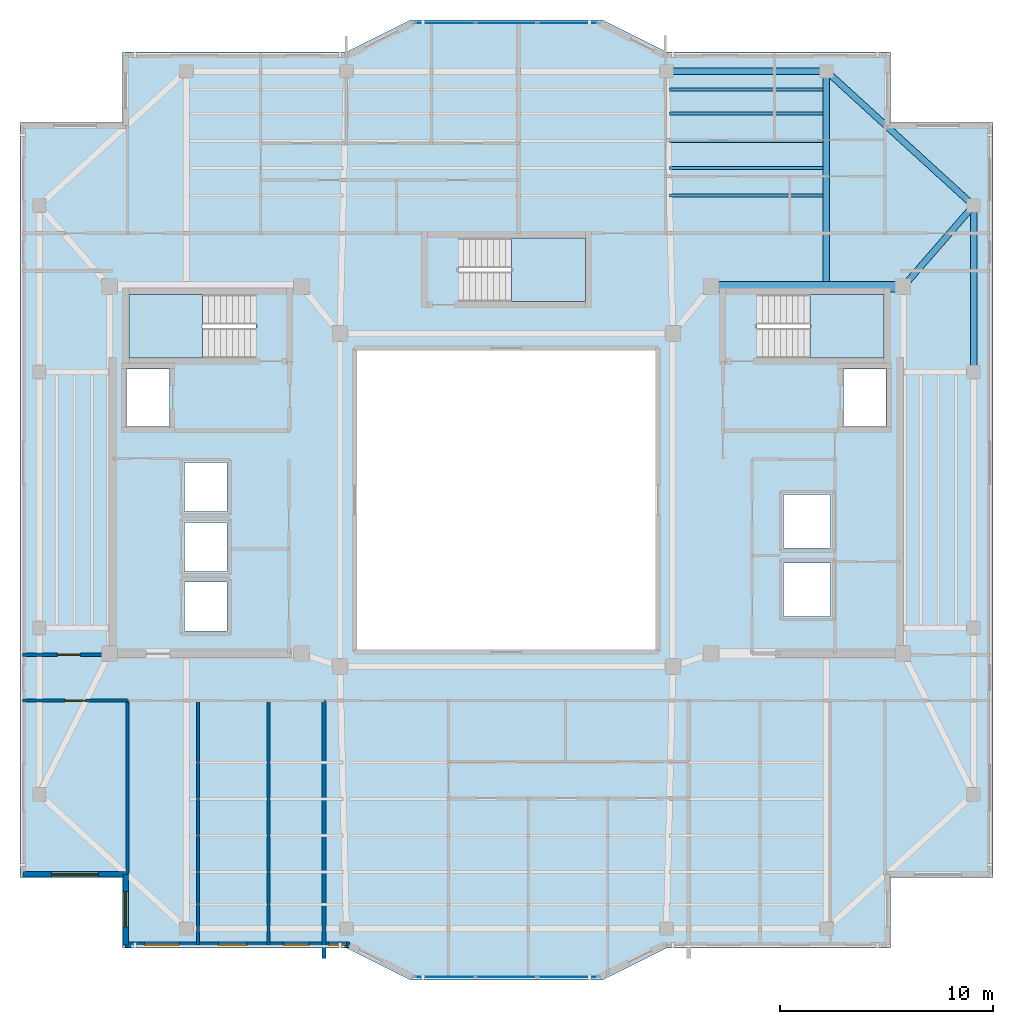
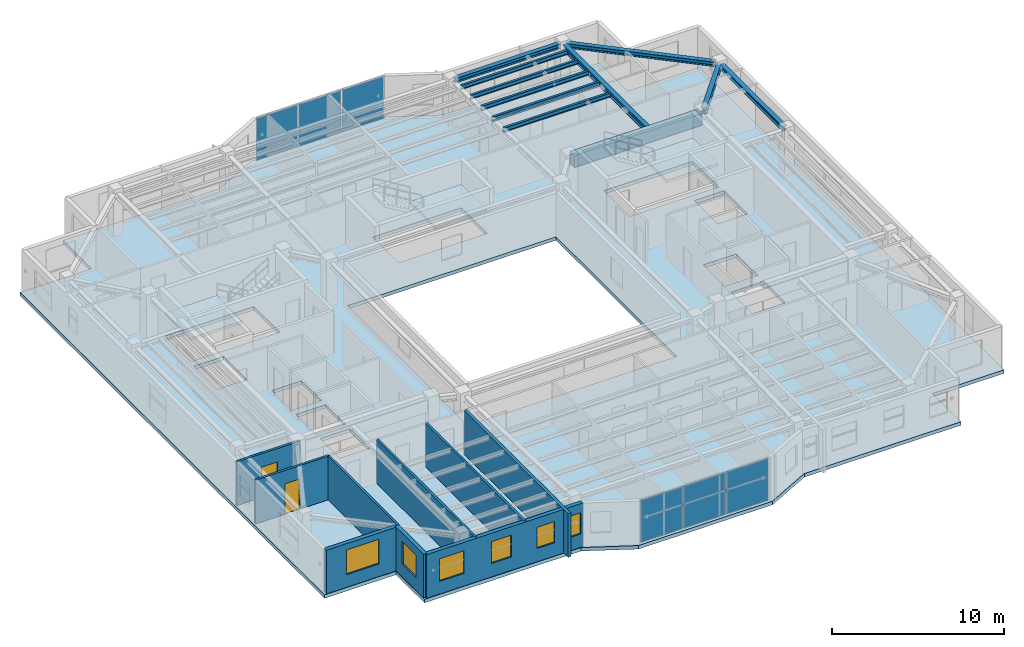
# One storey, part 5 of 13: 11 beams, 9 walls, 6 plates, 6 windows, 4 slabs, 2 doors, 8 openings, 5 elements without a shape of their own.
"""IFC4 building model written with IfcOpenShell, lengths in metres."""

from ifc_helpers import new_model, si_unit, direction, frame, frame_2d, origin, origin_2d, place, context, subcontext, project, spatial, polyline, rectangle, i_section, outline, extrude, material, layer, layer_set, material_profile, profile_set, type_object, element, fill, aggregate, save


model = new_model("IFC4")

# Units and contexts
model_context = context("Model", 3, precision=1e-05, world=origin(), true_north=direction((0.0, 1.0)))
body_context = subcontext(model_context, "Body", "Model", "MODEL_VIEW")
ifc_project = project(units=[si_unit("LENGTHUNIT", "METRE"), si_unit("AREAUNIT", "SQUARE_METRE"), si_unit("VOLUMEUNIT", "CUBIC_METRE"), si_unit("PLANEANGLEUNIT", "RADIAN"), si_unit("MASSUNIT", "GRAM", prefix="KILO")], contexts=[model_context])

# Site, building, storey
site_placement = place(None, origin())
site = spatial("IfcSite", under=ifc_project, at=site_placement, CompositionType="ELEMENT")
building_placement = place(site_placement, origin())
building = spatial("IfcBuilding", under=site, at=building_placement, Name="Tarnavaz Court Tower", CompositionType="ELEMENT")
storey_placement = place(building_placement, frame((0.0, 0.0, 248.199951171875)))
storey = spatial("IfcBuildingStorey", under=building, at=storey_placement, Name="L67", CompositionType="ELEMENT", Elevation=248.199951171875)

# Beams
ifc_material_1 = material(Name="Concrete C50/60", Category="concrete")
ifc_material_profile_1 = material_profile(ifc_material_1, rectangle(XDim=0.5, YDim=0.85009765625, at=origin_2d()), Name="RC 500X850")
ifc_profile_set_1 = profile_set([ifc_material_profile_1], Name="Concrete C50/60")
beam_type_1 = type_object("IfcBeamType", Name="BM-CB850", PredefinedType="LINTEL", material=ifc_profile_set_1)
beam_1_placement = place(storey_placement, frame((18.3798828125, 10.0, 2.675048828125), z_axis=(-1.0, 0.0, 0.0), x_axis=(0.0, -1.0, 0.0)))
element("IfcBeam", 1, at=beam_1_placement, inside=storey, type_object=beam_type_1, Name="L67 Beam IN-CE-NO-CE-NI", PredefinedType="LINTEL", context=body_context, shape_type="SweptSolid", body=[
    extrude(rectangle(XDim=0.5, YDim=0.85009765625, at=origin_2d()), origin(), (0.0, 0.0, 1.0), 8.559814453125),
])
ifc_material_2 = material(Name="Steel S355", Category="steel")
ifc_material_profile_2 = material_profile(ifc_material_2, i_section(OverallWidth=0.300048828125, OverallDepth=0.39990234375, WebThickness=0.013427734375, FlangeThickness=0.02392578125, FilletRadius=0.027099609375, at=origin_2d()), Name="HEB 400")
ifc_profile_set_2 = profile_set([ifc_material_profile_2], Name="Steel S355")
beam_type_2 = type_object("IfcBeamType", Name="BM-G-HEB400", PredefinedType="USERDEFINED", material=ifc_profile_set_2)
beam_2_placement = place(storey_placement, frame((15.0, 10.0400390625, 2.900146484375), z_axis=(0.0, 1.0, 0.0), x_axis=(-1.0, 0.0, 0.0)))
element("IfcBeam", 2, at=beam_2_placement, inside=storey, type_object=beam_type_2, Name="L67 Beam RG-04", ObjectType="GIRDER", PredefinedType="USERDEFINED", context=body_context, shape_type="SweptSolid", body=[
    extrude(i_section(OverallWidth=0.300048828125, OverallDepth=0.39990234375, WebThickness=0.013427734375, FlangeThickness=0.02392578125, FilletRadius=0.027099609375, at=origin_2d()), origin(), (0.0, 0.0, 1.0), 9.83984375),
])
beam_3_placement = place(storey_placement, frame((18.744384765625, 10.166015625, 2.900146484375), z_axis=(0.65565475567, 0.755060819648, 0.0), x_axis=(-0.755060819648, 0.65565475567, 0.0)))
element("IfcBeam", 3, at=beam_3_placement, inside=storey, type_object=beam_type_2, Name="L67 Beam RG-12", ObjectType="GIRDER", PredefinedType="USERDEFINED", context=body_context, shape_type="SweptSolid", body=[
    extrude(i_section(OverallWidth=0.300048828125, OverallDepth=0.39990234375, WebThickness=0.013427734375, FlangeThickness=0.02392578125, FilletRadius=0.027099609375, at=origin_2d()), origin(), (0.0, 0.0, 1.0), 4.5927734375),
])
ifc_material_profile_3 = material_profile(ifc_material_2, i_section(OverallWidth=0.14990234375, OverallDepth=0.300048828125, WebThickness=0.007080078125, FlangeThickness=0.0107421875, FilletRadius=0.014892578125, at=origin_2d()), Name="IPE 300")
ifc_profile_set_3 = profile_set([ifc_material_profile_3], Name="Steel S355")
beam_type_3 = type_object("IfcBeamType", Name="BM-J-IPE300", PredefinedType="JOIST", material=ifc_profile_set_3)
for number, where, z_axis, x_axis, name in (
    (4, (7.64990234375, 14.278076171875, 2.949951171875), (1.0, 0.0, 0.0), (0.0, 1.0, 0.0), "L67 Beam JN1-3"),
    (5, (7.64990234375, 15.555908203125, 2.949951171875), (1.0, 0.0, 0.0), (0.0, 1.0, 0.0), "L67 Beam JN2-3"),
    (6, (7.64990234375, 16.833984375, 2.949951171875), (1.0, 0.0, 0.0), (0.0, 1.0, 0.0), "L67 Beam JN3-3"),
    (7, (7.64990234375, 18.112060546875, 2.949951171875), (1.0, 0.0, 0.0), (0.0, 1.0, 0.0), "L67 Beam JN4-3"),
    (8, (7.64990234375, 19.248046875, 2.949951171875), (1.0, 0.0, 0.0), (0.0, 1.0, 0.0), "L67 Beam JN5-3"),
):
    element("IfcBeam", number, at=place(storey_placement, frame(where, z_axis=z_axis, x_axis=x_axis)), inside=storey, type_object=beam_type_3, Name=name, PredefinedType="JOIST", context=body_context, shape_type="SweptSolid", body=[
        extrude(i_section(OverallWidth=0.14990234375, OverallDepth=0.300048828125, WebThickness=0.007080078125, FlangeThickness=0.0107421875, FilletRadius=0.014892578125, at=origin_2d()), origin(), (0.0, 0.0, 1.0), 7.2001953125),
    ])
ifc_material_profile_4 = material_profile(ifc_material_2, i_section(OverallWidth=0.300048828125, OverallDepth=0.330078125, WebThickness=0.009521484375, FlangeThickness=0.0166015625, FilletRadius=0.027099609375, at=origin_2d()), Name="HEA 340")
ifc_profile_set_4 = profile_set([ifc_material_profile_4], Name="Steel S355")
beam_type_4 = type_object("IfcBeamType", Name="BM-SP-HEA340", PredefinedType="BEAM", material=ifc_profile_set_4)
beam_4_placement = place(storey_placement, frame((7.719970703125, 20.10009765625, 2.93505859375), z_axis=(1.0, 0.0, 0.0), x_axis=(0.0, 1.0, 0.0)))
element("IfcBeam", 9, at=beam_4_placement, inside=storey, type_object=beam_type_4, Name="L67 Beam PR-PN-3-PN-4", PredefinedType="BEAM", context=body_context, shape_type="SweptSolid", body=[
    extrude(i_section(OverallWidth=0.300048828125, OverallDepth=0.330078125, WebThickness=0.009521484375, FlangeThickness=0.0166015625, FilletRadius=0.027099609375, at=origin_2d()), origin(), (0.0, 0.0, 1.0), 7.06005859375),
])
beam_5_placement = place(storey_placement, frame((21.89990234375, 6.219970703125, 2.93505859375), z_axis=(0.0, 1.0, 0.0), x_axis=(-1.0, 0.0, 0.0)))
element("IfcBeam", 10, at=beam_5_placement, inside=storey, type_object=beam_type_4, Name="L67 Beam PR-PE-3-PE-4", PredefinedType="BEAM", context=body_context, shape_type="SweptSolid", body=[
    extrude(i_section(OverallWidth=0.300048828125, OverallDepth=0.330078125, WebThickness=0.009521484375, FlangeThickness=0.0166015625, FilletRadius=0.027099609375, at=origin_2d()), origin(), (0.0, 0.0, 1.0), 7.360107421875),
])
beam_6_placement = place(storey_placement, frame((15.16259765625, 19.95166015625, 2.93505859375), z_axis=(0.738474214476, -0.674281717499, 0.0), x_axis=(0.674281717499, 0.738474214476, 0.0)))
element("IfcBeam", 11, at=beam_6_placement, inside=storey, type_object=beam_type_4, Name="L67 Beam PR-PN-4-PE-4", PredefinedType="BEAM", context=body_context, shape_type="SweptSolid", body=[
    extrude(i_section(OverallWidth=0.300048828125, OverallDepth=0.330078125, WebThickness=0.009521484375, FlangeThickness=0.0166015625, FilletRadius=0.027099609375, at=origin_2d()), origin(), (0.0, 0.0, 1.0), 8.9033203125),
])

# Curtain wall, plates
ifc_material_3 = material(Name="Anodised Aluminium 6063-T6 and Solar Low-E Glazing", Category="aluminium")
ifc_layer_1 = layer(ifc_material_3, 0.159912109375)
ifc_layer_set_1 = layer_set([ifc_layer_1], Name="Anodised Aluminium 6063-T6 and Solar Low-E Glazing")
curtain_wall_type = type_object("IfcCurtainWallType", Name="CW-SYS-03", PredefinedType="NOTDEFINED", material=ifc_layer_set_1)
curtain_wall_1_placement = place(storey_placement, origin())
curtain_wall_1 = element("IfcCurtainWall", 12, at=curtain_wall_1_placement, inside=storey, type_object=curtain_wall_type, Name="L67 Iwan Prow Curtain Wall 7", PredefinedType="NOTDEFINED")
ifc_material_4 = material(Name="Double-Glazed Solar Low-E Glass", Category="glass")
ifc_layer_2 = layer(ifc_material_4, 0.028076171875)
ifc_layer_set_2 = layer_set([ifc_layer_2], Name="Double-Glazed Solar Low-E Glass")
plate_type = type_object("IfcPlateType", Name="CW-PAN-GLZ28", PredefinedType="CURTAIN_PANEL", material=ifc_layer_set_2)
plate_1_placement = place(storey_placement, frame((-2.88134765625, 22.35009765625, 0.06494140625), z_axis=(0.0, 0.0, 1.0), x_axis=(1.0, 0.0, 0.0)))
plate_1 = element("IfcPlate", 13, at=plate_1_placement, type_object=plate_type, Name="CW panel 1.1", PredefinedType="CURTAIN_PANEL", context=body_context, shape_type="SweptSolid", body=[
    extrude(rectangle(XDim=2.78759765625, YDim=0.028076171875, at=origin_2d()), origin(), (0.0, 0.0, 1.0), 2.969970703125),
])
plate_2_placement = place(storey_placement, frame((0.0, 22.35009765625, 0.06494140625), z_axis=(0.0, 0.0, 1.0), x_axis=(1.0, 0.0, 0.0)))
plate_2 = element("IfcPlate", 14, at=plate_2_placement, type_object=plate_type, Name="CW panel 2.1", PredefinedType="CURTAIN_PANEL", context=body_context, shape_type="SweptSolid", body=[
    extrude(rectangle(XDim=2.824951171875, YDim=0.028076171875, at=origin_2d()), origin(), (0.0, 0.0, 1.0), 2.969970703125),
])
plate_3_placement = place(storey_placement, frame((2.88134765625, 22.35009765625, 0.06494140625), z_axis=(0.0, 0.0, 1.0), x_axis=(1.0, 0.0, 0.0)))
plate_3 = element("IfcPlate", 15, at=plate_3_placement, type_object=plate_type, Name="CW panel 3.1", PredefinedType="CURTAIN_PANEL", context=body_context, shape_type="SweptSolid", body=[
    extrude(rectangle(XDim=2.78759765625, YDim=0.028076171875, at=origin_2d()), origin(), (0.0, 0.0, 1.0), 2.969970703125),
])
aggregate(curtain_wall_1, [plate_1, plate_2, plate_3])

curtain_wall_2_placement = place(storey_placement, origin())
curtain_wall_2 = element("IfcCurtainWall", 16, at=curtain_wall_2_placement, inside=storey, type_object=curtain_wall_type, Name="L67 Iwan Prow Curtain Wall 17", PredefinedType="NOTDEFINED")
plate_4_placement = place(storey_placement, frame((2.88134765625, -22.35009765625, 0.06494140625), z_axis=(0.0, 0.0, 1.0), x_axis=(-1.0, 0.0, 0.0)))
plate_4 = element("IfcPlate", 17, at=plate_4_placement, type_object=plate_type, Name="CW panel 1.1", PredefinedType="CURTAIN_PANEL", context=body_context, shape_type="SweptSolid", body=[
    extrude(rectangle(XDim=2.78759765625, YDim=0.028076171875, at=origin_2d()), origin(), (0.0, 0.0, 1.0), 2.969970703125),
])
plate_5_placement = place(storey_placement, frame((0.0, -22.35009765625, 0.06494140625), z_axis=(0.0, 0.0, 1.0), x_axis=(-1.0, 0.0, 0.0)))
plate_5 = element("IfcPlate", 18, at=plate_5_placement, type_object=plate_type, Name="CW panel 2.1", PredefinedType="CURTAIN_PANEL", context=body_context, shape_type="SweptSolid", body=[
    extrude(rectangle(XDim=2.824951171875, YDim=0.028076171875, at=origin_2d()), origin(), (0.0, 0.0, 1.0), 2.969970703125),
])
plate_6_placement = place(storey_placement, frame((-2.88134765625, -22.35009765625, 0.06494140625), z_axis=(0.0, 0.0, 1.0), x_axis=(-1.0, 0.0, 0.0)))
plate_6 = element("IfcPlate", 19, at=plate_6_placement, type_object=plate_type, Name="CW panel 3.1", PredefinedType="CURTAIN_PANEL", context=body_context, shape_type="SweptSolid", body=[
    extrude(rectangle(XDim=2.78759765625, YDim=0.028076171875, at=origin_2d()), origin(), (0.0, 0.0, 1.0), 2.969970703125),
])
aggregate(curtain_wall_2, [plate_4, plate_5, plate_6])

# Stair, slab
ifc_material_5 = material(Name="Concrete C40/50", Category="concrete")
stair_type = type_object("IfcStairType", Name="ST-TWR-20R", PredefinedType="HALF_TURN_STAIR", material=ifc_material_5)
stair_1_placement = place(storey_placement, origin())
stair_1 = element("IfcStair", 20, at=stair_1_placement, inside=storey, type_object=stair_type, Name="L67 West Core Pressurized Exit Stair ST-W1", PredefinedType="HALF_TURN_STAIR")
ifc_layer_3 = layer(ifc_material_5, 0.199951171875)
ifc_layer_set_3 = layer_set([ifc_layer_3], Name="Concrete C40/50")
slab_type_1 = type_object("IfcSlabType", Name="SL-LAND-200", PredefinedType="LANDING", material=ifc_layer_set_3)
slab_1_placement = place(storey_placement, frame((0.0, 0.0, 1.47509765625)))
slab_1 = element("IfcSlab", 21, at=slab_1_placement, type_object=slab_type_1, Name="ST-W1 landing 1", PredefinedType="LANDING", context=body_context, shape_type="SweptSolid", body=[
    extrude(outline(polyline([(-14.239990234375, 9.639892578125), (-17.699951171875, 9.639892578125), (-17.699951171875, 6.64990234375), (-14.239990234375, 6.64990234375), (-14.239990234375, 9.639892578125)])), origin(), (0.0, 0.0, 1.0), 0.199951171875),
])
aggregate(stair_1, [slab_1])

stair_2_placement = place(storey_placement, origin())
stair_2 = element("IfcStair", 22, at=stair_2_placement, inside=storey, type_object=stair_type, Name="L67 East Core Pressurized Exit Stair ST-E1", PredefinedType="HALF_TURN_STAIR")
slab_2_placement = place(storey_placement, frame((0.0, 0.0, 1.47509765625)))
slab_2 = element("IfcSlab", 23, at=slab_2_placement, type_object=slab_type_1, Name="ST-E1 landing 1", PredefinedType="LANDING", context=body_context, shape_type="SweptSolid", body=[
    extrude(outline(polyline([(14.239990234375, 6.64990234375), (17.699951171875, 6.64990234375), (17.699951171875, 9.639892578125), (14.239990234375, 9.639892578125), (14.239990234375, 6.64990234375)])), origin(), (0.0, 0.0, 1.0), 0.199951171875),
])
aggregate(stair_2, [slab_2])

stair_3_placement = place(storey_placement, origin())
stair_3 = element("IfcStair", 24, at=stair_3_placement, inside=storey, type_object=stair_type, Name="L67 North Ring Pressurized Exit Stair ST-N1", PredefinedType="HALF_TURN_STAIR")
slab_3_placement = place(storey_placement, frame((0.0, 0.0, 1.47509765625)))
slab_3 = element("IfcSlab", 25, at=slab_3_placement, type_object=slab_type_1, Name="ST-N1 landing 1", PredefinedType="LANDING", context=body_context, shape_type="SweptSolid", body=[
    extrude(outline(polyline([(0.239990234375, 9.300048828125), (3.699951171875, 9.300048828125), (3.699951171875, 12.2900390625), (0.239990234375, 12.2900390625), (0.239990234375, 9.300048828125)])), origin(), (0.0, 0.0, 1.0), 0.199951171875),
])
aggregate(stair_3, [slab_3])

# Slab
ifc_layer_4 = layer(ifc_material_5, 0.25)
ifc_layer_set_4 = layer_set([ifc_layer_4], Name="Concrete C40/50")
slab_type_2 = type_object("IfcSlabType", Name="SL-RES-250", PredefinedType="FLOOR", material=ifc_layer_set_4)
slab_4_placement = place(storey_placement, frame((0.0, 0.0, -0.25)))
element("IfcSlab", 26, at=slab_4_placement, inside=storey, type_object=slab_type_2, Name="L67 Structural Floor Slab", PredefinedType="FLOOR", context=body_context, shape_type="SweptSolid", body=[
    extrude(outline(polyline([(-18.0, -21.0), (-7.5, -21.0), (-4.5, -22.5), (4.5, -22.5), (7.5, -21.0), (18.0, -21.0), (18.0, -17.699951171875), (22.800048828125, -17.699951171875), (22.800048828125, 17.699951171875), (18.0, 17.699951171875), (18.0, 21.0), (7.5, 21.0), (4.5, 22.5), (-4.5, 22.5), (-7.5, 21.0), (-18.0, 21.0), (-18.0, 17.699951171875), (-22.800048828125, 17.699951171875), (-22.800048828125, -17.699951171875), (-18.0, -17.699951171875), (-18.0, -21.0)]), holes=[polyline([(-7.0, -7.0), (7.0, -7.0), (7.0, 7.0), (-7.0, 7.0), (-7.0, -7.0)]), polyline([(-11.7451171875, 9.639892578125), (-17.699951171875, 9.639892578125), (-17.699951171875, 6.64990234375), (-11.7451171875, 6.64990234375), (-11.7451171875, 9.639892578125)]), polyline([(11.7451171875, 6.64990234375), (17.699951171875, 6.64990234375), (17.699951171875, 9.639892578125), (11.7451171875, 9.639892578125), (11.7451171875, 6.64990234375)]), polyline([(-2.2548828125, 9.300048828125), (3.699951171875, 9.300048828125), (3.699951171875, 12.2900390625), (-2.2548828125, 12.2900390625), (-2.2548828125, 9.300048828125)]), polyline([(-17.800048828125, 3.449951171875), (-15.800048828125, 3.449951171875), (-15.800048828125, 6.14990234375), (-17.800048828125, 6.14990234375), (-17.800048828125, 3.449951171875)]), polyline([(-15.10009765625, -6.14990234375), (-13.10009765625, -6.14990234375), (-13.10009765625, -3.85009765625), (-15.10009765625, -3.85009765625), (-15.10009765625, -6.14990234375)]), polyline([(-15.10009765625, -3.35009765625), (-13.10009765625, -3.35009765625), (-13.10009765625, -1.050048828125), (-15.10009765625, -1.050048828125), (-15.10009765625, -3.35009765625)]), polyline([(-15.10009765625, -0.550048828125), (-13.10009765625, -0.550048828125), (-13.10009765625, 1.75), (-15.10009765625, 1.75), (-15.10009765625, -0.550048828125)]), polyline([(15.800048828125, 3.449951171875), (17.800048828125, 3.449951171875), (17.800048828125, 6.14990234375), (15.800048828125, 6.14990234375), (15.800048828125, 3.449951171875)]), polyline([(13.0, -5.449951171875), (15.199951171875, -5.449951171875), (15.199951171875, -2.949951171875), (13.0, -2.949951171875), (13.0, -5.449951171875)]), polyline([(13.0, -2.25), (15.199951171875, -2.25), (15.199951171875, 0.25), (13.0, 0.25), (13.0, -2.25)])]), origin(), (0.0, 0.0, 1.0), 0.25),
])

# Wall, opening, window
ifc_material_6 = material(Name="Precast Concrete C40/50", Category="concrete")
ifc_layer_5 = layer(ifc_material_6, 0.260009765625)
ifc_layer_set_5 = layer_set([ifc_layer_5], Name="Precast Concrete C40/50")
wall_type_1 = type_object("IfcWallType", Name="WL-EXT-260", PredefinedType="SOLIDWALL", material=ifc_layer_set_5)
wall_1_placement = place(storey_placement, frame((-17.85009765625, -17.550048828125, 0.0), z_axis=(0.0, 0.0, 1.0), x_axis=(-1.0, 0.0, 0.0)))
wall_1 = element("IfcWall", 27, at=wall_1_placement, inside=storey, type_object=wall_type_1, Name="L67 Exterior Terracotta Facade Wall 01", PredefinedType="SOLIDWALL", context=body_context, shape_type="SweptSolid", body=[
    extrude(rectangle(XDim=4.7998046875, YDim=0.260009765625, at=frame_2d((2.39990234375, 0.0))), origin(), (0.0, 0.0, 1.0), 3.10009765625),
])
opening_1_placement = place(wall_1_placement, frame((1.274658203125, 0.0, 0.89990234375)))
opening_1 = element("IfcOpeningElement", 28, at=opening_1_placement, cuts=wall_1, Name="Opening W07", PredefinedType="OPENING", context=body_context, shape_type="SweptSolid", body=[
    extrude(rectangle(XDim=2.199951171875, YDim=1.75, at=frame_2d((1.10009765625, 0.875))), frame((0.0, 0.139892578125, 0.0), z_axis=(0.0, -1.0, 0.0), x_axis=(1.0, 0.0, 0.0)), (0.0, 0.0, 1.0), 0.280029296875),
])
window_type_1 = type_object("IfcWindowType", Name="WN-APT-2200", PartitioningType="TRIPLE_PANEL_VERTICAL", PredefinedType="WINDOW", material=ifc_material_4)
window_1_placement = place(opening_1_placement, origin())
window_1 = element("IfcWindow", 29, at=window_1_placement, inside=storey, type_object=window_type_1, Name="L67 South-West Corner Reading Room Window", OverallHeight=1.75, OverallWidth=2.199951171875, PartitioningType="SINGLE_PANEL", PredefinedType="WINDOW", context=body_context, shape_type="SweptSolid", body=[
    extrude(rectangle(XDim=2.199951171875, YDim=1.75, at=frame_2d((1.10009765625, 0.875))), frame((0.0, 0.030029296875, 0.0), z_axis=(0.0, -1.0, 0.0), x_axis=(1.0, 0.0, 0.0)), (0.0, 0.0, 1.0), 0.06005859375),
])
fill(opening_1, window_1)

# Wall, openings, windows
wall_2_placement = place(storey_placement, frame((-7.35009765625, -20.85009765625, 0.0), z_axis=(0.0, 0.0, 1.0), x_axis=(-1.0, 0.0, 0.0)))
wall_2 = element("IfcWall", 30, at=wall_2_placement, inside=storey, type_object=wall_type_1, Name="L67 Exterior Terracotta Facade Wall 19", PredefinedType="SOLIDWALL", context=body_context, shape_type="SweptSolid", body=[
    extrude(rectangle(XDim=10.5, YDim=0.260009765625, at=frame_2d((5.25, 0.0))), origin(), (0.0, 0.0, 1.0), 3.10009765625),
])
opening_2_placement = place(wall_2_placement, frame((0.14501953125, 0.0, 0.949951171875)))
opening_2 = element("IfcOpeningElement", 31, at=opening_2_placement, cuts=wall_2, Name="Opening W15", PredefinedType="OPENING", context=body_context, shape_type="SweptSolid", body=[
    extrude(rectangle(XDim=0.85009765625, YDim=1.5, at=frame_2d((0.425048828125, 0.75))), frame((0.0, 0.139892578125, 0.0), z_axis=(0.0, -1.0, 0.0), x_axis=(1.0, 0.0, 0.0)), (0.0, 0.0, 1.0), 0.280029296875),
])
opening_3_placement = place(wall_2_placement, frame((1.89990234375, 0.0, 0.949951171875)))
opening_3 = element("IfcOpeningElement", 32, at=opening_3_placement, cuts=wall_2, Name="Opening W05", PredefinedType="OPENING", context=body_context, shape_type="SweptSolid", body=[
    extrude(rectangle(XDim=1.199951171875, YDim=1.5, at=frame_2d((0.60009765625, 0.75))), frame((0.0, 0.139892578125, 0.0), z_axis=(0.0, -1.0, 0.0), x_axis=(1.0, 0.0, 0.0)), (0.0, 0.0, 1.0), 0.280029296875),
])
opening_4_placement = place(wall_2_placement, frame((4.800048828125, 0.0, 0.949951171875)))
opening_4 = element("IfcOpeningElement", 33, at=opening_4_placement, cuts=wall_2, Name="Opening W04", PredefinedType="OPENING", context=body_context, shape_type="SweptSolid", body=[
    extrude(rectangle(XDim=1.35009765625, YDim=1.550048828125, at=frame_2d((0.675048828125, 0.77490234375))), frame((0.0, 0.139892578125, 0.0), z_axis=(0.0, -1.0, 0.0), x_axis=(1.0, 0.0, 0.0)), (0.0, 0.0, 1.0), 0.280029296875),
])
opening_5_placement = place(wall_2_placement, frame((7.97509765625, 0.0, 0.89990234375)))
opening_5 = element("IfcOpeningElement", 34, at=opening_5_placement, cuts=wall_2, Name="Opening W02", PredefinedType="OPENING", context=body_context, shape_type="SweptSolid", body=[
    extrude(rectangle(XDim=1.64990234375, YDim=1.60009765625, at=frame_2d((0.824951171875, 0.800048828125))), frame((0.0, 0.139892578125, 0.0), z_axis=(0.0, -1.0, 0.0), x_axis=(1.0, 0.0, 0.0)), (0.0, 0.0, 1.0), 0.280029296875),
])
window_type_2 = type_object("IfcWindowType", Name="WN-APT-1200", PartitioningType="SINGLE_PANEL", PredefinedType="WINDOW", material=ifc_material_4)
window_2_placement = place(opening_3_placement, origin())
window_2 = element("IfcWindow", 35, at=window_2_placement, inside=storey, type_object=window_type_2, Name="L67 Resident Focus Seminar Room Window", OverallHeight=1.5, OverallWidth=1.199951171875, PartitioningType="SINGLE_PANEL", PredefinedType="WINDOW", context=body_context, shape_type="SweptSolid", body=[
    extrude(rectangle(XDim=1.199951171875, YDim=1.5, at=frame_2d((0.60009765625, 0.75))), frame((0.0, 0.030029296875, 0.0), z_axis=(0.0, -1.0, 0.0), x_axis=(1.0, 0.0, 0.0)), (0.0, 0.0, 1.0), 0.06005859375),
])
fill(opening_3, window_2)
window_type_3 = type_object("IfcWindowType", Name="WN-APT-1350", PartitioningType="SINGLE_PANEL", PredefinedType="WINDOW", material=ifc_material_4)
window_3_placement = place(opening_4_placement, origin())
window_3 = element("IfcWindow", 36, at=window_3_placement, inside=storey, type_object=window_type_3, Name="L67 Quiet Reading Library Room Window", OverallHeight=1.550048828125, OverallWidth=1.35009765625, PartitioningType="SINGLE_PANEL", PredefinedType="WINDOW", context=body_context, shape_type="SweptSolid", body=[
    extrude(rectangle(XDim=1.35009765625, YDim=1.550048828125, at=frame_2d((0.675048828125, 0.77490234375))), frame((0.0, 0.030029296875, 0.0), z_axis=(0.0, -1.0, 0.0), x_axis=(1.0, 0.0, 0.0)), (0.0, 0.0, 1.0), 0.06005859375),
])
fill(opening_4, window_3)
window_type_4 = type_object("IfcWindowType", Name="WN-APT-1650", PartitioningType="DOUBLE_PANEL_VERTICAL", PredefinedType="WINDOW", material=ifc_material_4)
window_4_placement = place(opening_5_placement, origin())
window_4 = element("IfcWindow", 37, at=window_4_placement, inside=storey, type_object=window_type_4, Name="L67 Resident Co-Working Study Room Window", OverallHeight=1.60009765625, OverallWidth=1.64990234375, PartitioningType="SINGLE_PANEL", PredefinedType="WINDOW", context=body_context, shape_type="SweptSolid", body=[
    extrude(rectangle(XDim=1.64990234375, YDim=1.60009765625, at=frame_2d((0.824951171875, 0.800048828125))), frame((0.0, 0.030029296875, 0.0), z_axis=(0.0, -1.0, 0.0), x_axis=(1.0, 0.0, 0.0)), (0.0, 0.0, 1.0), 0.06005859375),
])
fill(opening_5, window_4)
window_type_5 = type_object("IfcWindowType", Name="WN-APT-850", PartitioningType="SINGLE_PANEL", PredefinedType="WINDOW", material=ifc_material_4)
window_5_placement = place(opening_2_placement, origin())
window_5 = element("IfcWindow", 38, at=window_5_placement, inside=storey, type_object=window_type_5, Name="L67 Flat 03 Living and Dining Room Window", OverallHeight=1.5, OverallWidth=0.85009765625, PartitioningType="SINGLE_PANEL", PredefinedType="WINDOW", context=body_context, shape_type="SweptSolid", body=[
    extrude(rectangle(XDim=0.85009765625, YDim=1.5, at=frame_2d((0.425048828125, 0.75))), frame((0.0, 0.030029296875, 0.0), z_axis=(0.0, -1.0, 0.0), x_axis=(1.0, 0.0, 0.0)), (0.0, 0.0, 1.0), 0.06005859375),
])
fill(opening_2, window_5)

# Wall, opening, window
wall_3_placement = place(storey_placement, frame((-17.85009765625, -20.85009765625, 0.0), z_axis=(0.0, 0.0, 1.0), x_axis=(0.0, 1.0, 0.0)))
wall_3 = element("IfcWall", 39, at=wall_3_placement, inside=storey, type_object=wall_type_1, Name="L67 Exterior Terracotta Facade Wall 20", PredefinedType="SOLIDWALL", context=body_context, shape_type="SweptSolid", body=[
    extrude(rectangle(XDim=3.300048828125, YDim=0.260009765625, at=frame_2d((1.64990234375, 0.0))), origin(), (0.0, 0.0, 1.0), 3.10009765625),
])
opening_6_placement = place(wall_3_placement, frame((0.842529296875, 0.0, 0.89990234375)))
opening_6 = element("IfcOpeningElement", 40, at=opening_6_placement, cuts=wall_3, Name="Opening W02", PredefinedType="OPENING", context=body_context, shape_type="SweptSolid", body=[
    extrude(rectangle(XDim=1.64990234375, YDim=1.60009765625, at=frame_2d((0.824951171875, 0.800048828125))), frame((0.0, 0.139892578125, 0.0), z_axis=(0.0, -1.0, 0.0), x_axis=(1.0, 0.0, 0.0)), (0.0, 0.0, 1.0), 0.280029296875),
])
window_6_placement = place(opening_6_placement, origin())
window_6 = element("IfcWindow", 41, at=window_6_placement, inside=storey, type_object=window_type_4, Name="L67 Resident Co-Working Study Room Window", OverallHeight=1.60009765625, OverallWidth=1.64990234375, PartitioningType="SINGLE_PANEL", PredefinedType="WINDOW", context=body_context, shape_type="SweptSolid", body=[
    extrude(rectangle(XDim=1.64990234375, YDim=1.60009765625, at=frame_2d((0.824951171875, 0.800048828125))), frame((0.0, 0.030029296875, 0.0), z_axis=(0.0, -1.0, 0.0), x_axis=(1.0, 0.0, 0.0)), (0.0, 0.0, 1.0), 0.06005859375),
])
fill(opening_6, window_6)

# Wall, opening, door
ifc_material_7 = material(Name="Gypsum Fire-Board on Acoustic Metal Stud", Category="masonry")
ifc_layer_6 = layer(ifc_material_7, 0.14990234375)
ifc_layer_set_6 = layer_set([ifc_layer_6], Name="Gypsum Fire-Board on Acoustic Metal Stud")
wall_type_2 = type_object("IfcWallType", Name="WL-FIRE-150", PredefinedType="PARTITIONING", material=ifc_layer_set_6)
wall_4_placement = place(storey_placement, frame((-22.679931640625, -7.25, 0.0), z_axis=(0.0, 0.0, 1.0), x_axis=(1.0, 0.0, 0.0)))
wall_4 = element("IfcWall", 42, at=wall_4_placement, inside=storey, type_object=wall_type_2, Name="L67 Interior Partition 092", PredefinedType="PARTITIONING", context=body_context, shape_type="SweptSolid", body=[
    extrude(rectangle(XDim=4.22998046875, YDim=0.14990234375, at=frame_2d((2.114990234375, 0.0))), origin(), (0.0, 0.0, 1.0), 3.10009765625),
])
opening_7_placement = place(wall_4_placement, frame((1.6298828125, 0.0, 0.0)))
opening_7 = element("IfcOpeningElement", 43, at=opening_7_placement, cuts=wall_4, Name="Opening D12", PredefinedType="OPENING", context=body_context, shape_type="SweptSolid", body=[
    extrude(rectangle(XDim=1.080078125, YDim=2.14990234375, at=frame_2d((0.5400390625, 1.074951171875))), frame((0.0, 0.0849609375, 0.0), z_axis=(0.0, -1.0, 0.0), x_axis=(1.0, 0.0, 0.0)), (0.0, 0.0, 1.0), 0.169921875),
])
ifc_material_8 = material(Name="Engineered Oak Timber", Category="wood")
door_type_1 = type_object("IfcDoorType", Name="DR-INT-1100", OperationType="NOTDEFINED", PredefinedType="DOOR", material=ifc_material_8)
door_1_placement = place(opening_7_placement, origin())
door_1 = element("IfcDoor", 44, at=door_1_placement, inside=storey, type_object=door_type_1, Name="L67 West Study Gallery Door", OperationType="SINGLE_SWING_RIGHT", OverallHeight=2.14990234375, OverallWidth=1.080078125, PredefinedType="DOOR", context=body_context, shape_type="SweptSolid", body=[
    extrude(rectangle(XDim=1.080078125, YDim=2.14990234375, at=frame_2d((0.5400390625, 1.074951171875))), frame((0.0, 0.02490234375, 0.0), z_axis=(0.0, -1.0, 0.0), x_axis=(1.0, 0.0, 0.0)), (0.0, 0.0, 1.0), 0.050048828125),
])
fill(opening_7, door_1)

wall_5_placement = place(storey_placement, frame((-22.679931640625, -9.39990234375, 0.0), z_axis=(0.0, 0.0, 1.0), x_axis=(1.0, 0.0, 0.0)))
wall_5 = element("IfcWall", 45, at=wall_5_placement, inside=storey, type_object=wall_type_2, Name="L67 Interior Partition 102", PredefinedType="PARTITIONING", context=body_context, shape_type="SweptSolid", body=[
    extrude(rectangle(XDim=4.929931640625, YDim=0.14990234375, at=frame_2d((2.46484375, 0.0))), origin(), (0.0, 0.0, 1.0), 3.10009765625),
])
opening_8_placement = place(wall_5_placement, frame((1.989990234375, 0.0, 0.0)))
opening_8 = element("IfcOpeningElement", 46, at=opening_8_placement, cuts=wall_5, Name="Opening D13", PredefinedType="OPENING", context=body_context, shape_type="SweptSolid", body=[
    extrude(rectangle(XDim=0.949951171875, YDim=2.14990234375, at=frame_2d((0.47509765625, 1.074951171875))), frame((0.0, 0.0849609375, 0.0), z_axis=(0.0, -1.0, 0.0), x_axis=(1.0, 0.0, 0.0)), (0.0, 0.0, 1.0), 0.169921875),
])
door_type_2 = type_object("IfcDoorType", Name="DR-INT-950", OperationType="NOTDEFINED", PredefinedType="DOOR", material=ifc_material_8)
door_2_placement = place(opening_8_placement, origin())
door_2 = element("IfcDoor", 47, at=door_2_placement, inside=storey, type_object=door_type_2, Name="L67 SW Reading Room Door", OperationType="SINGLE_SWING_RIGHT", OverallHeight=2.14990234375, OverallWidth=0.949951171875, PredefinedType="DOOR", context=body_context, shape_type="SweptSolid", body=[
    extrude(rectangle(XDim=0.949951171875, YDim=2.14990234375, at=frame_2d((0.47509765625, 1.074951171875))), frame((0.0, 0.02490234375, 0.0), z_axis=(0.0, -1.0, 0.0), x_axis=(1.0, 0.0, 0.0)), (0.0, 0.0, 1.0), 0.050048828125),
])
fill(opening_8, door_2)

# Walls
ifc_material_9 = material(Name="Autoclaved Aerated Concrete Blockwork", Category="masonry")
ifc_layer_7 = layer(ifc_material_9, 0.199951171875)
ifc_layer_set_7 = layer_set([ifc_layer_7], Name="Autoclaved Aerated Concrete Blockwork")
wall_type_3 = type_object("IfcWallType", Name="WL-FIRE-200", PredefinedType="SOLIDWALL", material=ifc_layer_set_7)
wall_6_placement = place(storey_placement, frame((-8.550048828125, -21.50390625, 0.0), z_axis=(0.0, 0.0, 1.0), x_axis=(0.0, 1.0, 0.0)))
element("IfcWall", 48, at=wall_6_placement, inside=storey, type_object=wall_type_3, Name="L67 Party Wall 082", PredefinedType="SOLIDWALL", context=body_context, shape_type="SweptSolid", body=[
    extrude(rectangle(XDim=12.10400390625, YDim=0.199951171875, at=frame_2d((6.052001953125, 0.0))), origin(), (0.0, 0.0, 1.0), 3.10009765625),
])
ifc_material_10 = material(Name="Gypsum Plasterboard Acoustic Partition", Category="masonry")
ifc_layer_8 = layer(ifc_material_10, 0.139892578125)
ifc_layer_set_8 = layer_set([ifc_layer_8], Name="Gypsum Plasterboard Acoustic Partition")
wall_type_4 = type_object("IfcWallType", Name="WL-PART-150", PredefinedType="PARTITIONING", material=ifc_layer_set_8)
for number, where, z_axis, x_axis, name in (
    (49, (-14.4560546875, -20.85009765625, 0.0), (0.0, 0.0, 1.0), (0.0, 1.0, 0.0), "L67 Interior Partition 078"),
    (50, (-11.162109375, -20.85009765625, 0.0), (0.0, 0.0, 1.0), (0.0, 1.0, 0.0), "L67 Interior Partition 079"),
):
    element("IfcWall", number, at=place(storey_placement, frame(where, z_axis=z_axis, x_axis=x_axis)), inside=storey, type_object=wall_type_4, Name=name, PredefinedType="PARTITIONING", context=body_context, shape_type="SweptSolid", body=[
        extrude(rectangle(XDim=11.4501953125, YDim=0.139892578125, at=frame_2d((5.72509765625, 0.0))), origin(), (0.0, 0.0, 1.0), 3.10009765625),
    ])
wall_7_placement = place(storey_placement, frame((-17.75, -17.550048828125, 0.0), z_axis=(0.0, 0.0, 1.0), x_axis=(0.0, 1.0, 0.0)))
element("IfcWall", 51, at=wall_7_placement, inside=storey, type_object=wall_type_4, Name="L67 Interior Partition 096", PredefinedType="PARTITIONING", context=body_context, shape_type="SweptSolid", body=[
    extrude(rectangle(XDim=8.150146484375, YDim=0.139892578125, at=frame_2d((4.0751953125, 0.0))), origin(), (0.0, 0.0, 1.0), 3.10009765625),
])

save(model, "model.ifc")
